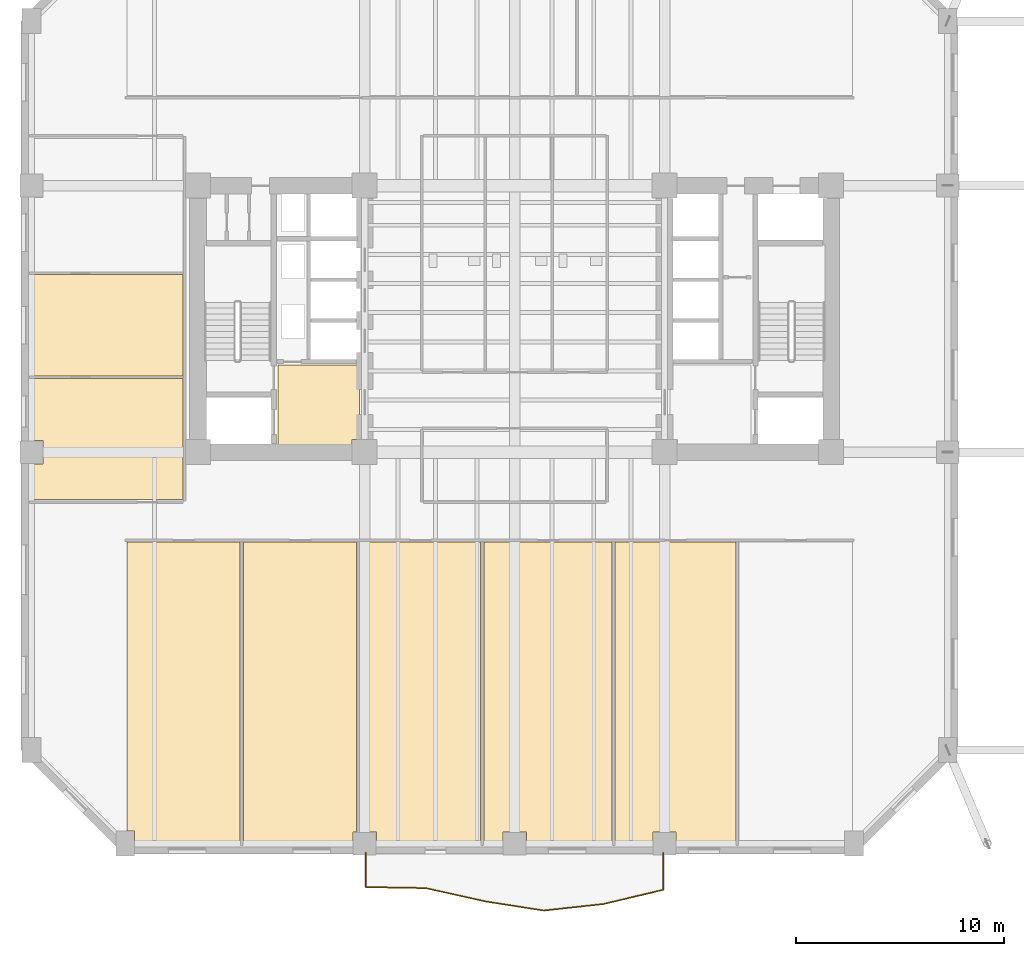
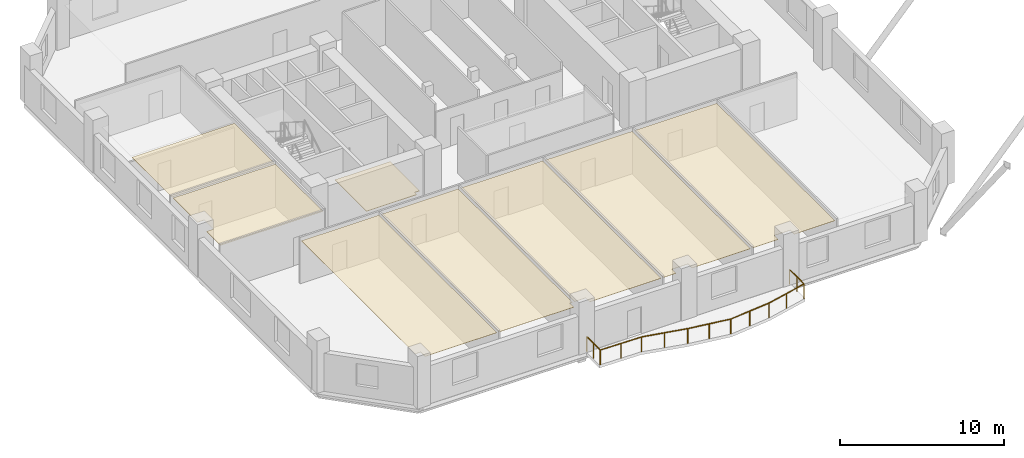
# One storey, part 9 of 13: 8 coverings, 1 railing.
"""IFC4 building model written with IfcOpenShell, lengths in metres."""

from ifc_helpers import new_model, si_unit, direction, frame, origin, origin_2d, place, context, subcontext, project, spatial, polyline, circle, outline, extrude, material, layer, layer_set, type_object, element, save


model = new_model("IFC4")

# Units and contexts
model_context = context("Model", 3, precision=1e-05, world=origin(), true_north=direction((0.0, 1.0)))
body_context = subcontext(model_context, "Body", "Model", "MODEL_VIEW")
ifc_project = project(units=[si_unit("LENGTHUNIT", "METRE"), si_unit("AREAUNIT", "SQUARE_METRE"), si_unit("VOLUMEUNIT", "CUBIC_METRE"), si_unit("PLANEANGLEUNIT", "RADIAN"), si_unit("MASSUNIT", "GRAM", prefix="KILO")], contexts=[model_context])

# Site, building, storey
site_placement = place(None, origin())
site = spatial("IfcSite", under=ifc_project, at=site_placement, CompositionType="ELEMENT")
building_placement = place(site_placement, origin())
building = spatial("IfcBuilding", under=site, at=building_placement, Name="Kranthara Brick Stack", CompositionType="ELEMENT")
storey_placement = place(building_placement, frame((0.0, 0.0, 43.800048828125)))
storey = spatial("IfcBuildingStorey", under=building, at=storey_placement, Name="L10", CompositionType="ELEMENT", Elevation=43.800048828125)

# Coverings
ifc_material_1 = material(Name="Perforated mineral-fibre acoustic ceiling tile", Category="other")
ifc_layer_1 = layer(ifc_material_1, 0.02490234375)
ifc_layer_set_1 = layer_set([ifc_layer_1], Name="Perforated mineral-fibre acoustic ceiling tile")
covering_type_1 = type_object("IfcCoveringType", Name="COV-CEIL-ACOUSTIC", PredefinedType="CEILING", material=ifc_layer_set_1)
covering_1_placement = place(storey_placement, frame((0.0, 0.0, 3.179931640625)))
element("IfcCovering", 1, at=covering_1_placement, inside=storey, type_object=covering_type_1, Name="L10 L10 Executive Cellular Office 1 Acoustic Ceiling", PredefinedType="CEILING", context=body_context, shape_type="SweptSolid", body=[
    extrude(outline(polyline([(9.3798828125, 16.47998046875), (14.820068359375, 16.47998046875), (14.820068359375, 2.070068359375), (9.760009765625, 2.070068359375), (9.760009765625, 2.610107421875), (9.3798828125, 2.610107421875), (9.3798828125, 16.47998046875)])), origin(), (0.0, 0.0, 1.0), 0.02490234375),
])
covering_2_placement = place(storey_placement, frame((0.0, 0.0, 3.179931640625)))
element("IfcCovering", 2, at=covering_2_placement, inside=storey, type_object=covering_type_1, Name="L10 L10 Executive Cellular Office 2 Acoustic Ceiling", PredefinedType="CEILING", context=body_context, shape_type="SweptSolid", body=[
    extrude(outline(polyline([(14.97998046875, 2.070068359375), (14.97998046875, 16.47998046875), (20.419921875, 16.47998046875), (20.419921875, 2.56005859375), (20.239990234375, 2.56005859375), (20.239990234375, 2.070068359375), (14.97998046875, 2.070068359375)])), origin(), (0.0, 0.0, 1.0), 0.02490234375),
])
covering_3_placement = place(storey_placement, frame((0.0, 0.0, 3.179931640625)))
element("IfcCovering", 3, at=covering_3_placement, inside=storey, type_object=covering_type_1, Name="L10 L10 Meeting Room 3 Acoustic Ceiling", PredefinedType="CEILING", context=body_context, shape_type="SweptSolid", body=[
    extrude(outline(polyline([(20.580078125, 16.47998046875), (26.3701171875, 16.47998046875), (26.3701171875, 2.070068359375), (21.360107421875, 2.070068359375), (21.360107421875, 2.56005859375), (20.580078125, 2.56005859375), (20.580078125, 16.47998046875)])), origin(), (0.0, 0.0, 1.0), 0.02490234375),
])
covering_4_placement = place(storey_placement, frame((0.0, 0.0, 3.179931640625)))
element("IfcCovering", 4, at=covering_4_placement, inside=storey, type_object=covering_type_1, Name="L10 L10 Meeting Room 4 Acoustic Ceiling", PredefinedType="CEILING", context=body_context, shape_type="SweptSolid", body=[
    extrude(outline(polyline([(26.530029296875, 2.070068359375), (26.530029296875, 16.47998046875), (32.669921875, 16.47998046875), (32.669921875, 2.070068359375), (28.56005859375, 2.070068359375), (28.56005859375, 2.56005859375), (27.43994140625, 2.56005859375), (27.43994140625, 2.070068359375), (26.530029296875, 2.070068359375)])), origin(), (0.0, 0.0, 1.0), 0.02490234375),
])
covering_5_placement = place(storey_placement, frame((0.0, 0.0, 3.179931640625)))
element("IfcCovering", 5, at=covering_5_placement, inside=storey, type_object=covering_type_1, Name="L10 L10 Meeting Room 5 Acoustic Ceiling", PredefinedType="CEILING", context=body_context, shape_type="SweptSolid", body=[
    extrude(outline(polyline([(32.830078125, 2.070068359375), (32.830078125, 16.47998046875), (38.6201171875, 16.47998046875), (38.6201171875, 2.070068359375), (35.760009765625, 2.070068359375), (35.760009765625, 2.56005859375), (34.639892578125, 2.56005859375), (34.639892578125, 2.070068359375), (32.830078125, 2.070068359375)])), origin(), (0.0, 0.0, 1.0), 0.02490234375),
])
covering_6_placement = place(storey_placement, frame((0.0, 0.0, 3.179931640625)))
element("IfcCovering", 6, at=covering_6_placement, inside=storey, type_object=covering_type_1, Name="L10 L10 West Executive Office 1 Acoustic Ceiling", PredefinedType="CEILING", context=body_context, shape_type="SweptSolid", body=[
    extrude(outline(polyline([(4.8701171875, 24.340087890625), (12.080078125, 24.340087890625), (12.080078125, 18.5400390625), (4.8701171875, 18.5400390625), (4.8701171875, 20.239990234375), (5.360107421875, 20.239990234375), (5.360107421875, 21.360107421875), (4.8701171875, 21.360107421875), (4.8701171875, 24.340087890625)])), origin(), (0.0, 0.0, 1.0), 0.02490234375),
])
covering_7_placement = place(storey_placement, frame((0.0, 0.0, 3.179931640625)))
element("IfcCovering", 7, at=covering_7_placement, inside=storey, type_object=covering_type_1, Name="L10 L10 West Executive Office 2 Acoustic Ceiling", PredefinedType="CEILING", context=body_context, shape_type="SweptSolid", body=[
    extrude(outline(polyline([(12.080078125, 24.4599609375), (12.080078125, 29.340087890625), (4.8701171875, 29.340087890625), (4.8701171875, 24.4599609375), (12.080078125, 24.4599609375)])), origin(), (0.0, 0.0, 1.0), 0.02490234375),
])
ifc_material_2 = material(Name="Honed terrazzo and porcelain floor finish", Category="stone")
ifc_layer_2 = layer(ifc_material_2, 0.030029296875)
ifc_layer_set_2 = layer_set([ifc_layer_2], Name="Honed terrazzo and porcelain floor finish")
covering_type_2 = type_object("IfcCoveringType", Name="COV-FLOR-STONE", PredefinedType="FLOORING", material=ifc_layer_set_2)
covering_8_placement = place(storey_placement, origin())
element("IfcCovering", 8, at=covering_8_placement, inside=storey, type_object=covering_type_2, Name="L10 Lift Lobby Stone Flooring", PredefinedType="FLOORING", context=body_context, shape_type="SweptSolid", body=[
    extrude(outline(polyline([(16.64990234375, 21.14990234375), (16.64990234375, 25.0), (20.550048828125, 25.0), (20.550048828125, 21.409912109375), (20.18994140625, 21.409912109375), (20.18994140625, 21.14990234375), (16.64990234375, 21.14990234375)])), origin(), (0.0, 0.0, 1.0), 0.030029296875),
])

# Railing
ifc_material_3 = material(Name="Bronze anodised aluminium and laminated glass balustrade", Category="aluminium")
railing_type = type_object("IfcRailingType", Name="RL-BALC-1120", PredefinedType="BALUSTRADE", material=ifc_material_3)
railing_placement = place(storey_placement, frame((35.139892578125, 1.56005859375, 0.0)))
element("IfcRailing", 9, at=railing_placement, inside=storey, type_object=railing_type, Name="L10 South Rippling Balcony Balustrade", PredefinedType="BALUSTRADE", context=body_context, shape_type="SweptSolid", body=[
    extrude(circle(Radius=0.02392578125, at=origin_2d()), frame((0.0, 0.0, 1.09619140625), z_axis=(0.0, -1.0, 0.0), x_axis=(1.0, 0.0, 0.0)), (0.0, 0.0, 1.0), 1.773193359375),
    extrude(circle(Radius=0.02392578125, at=origin_2d()), frame((0.0, -1.773193359375, 1.09619140625), z_axis=(-0.972813296182, -0.231590783003, 0.0), x_axis=(0.231590783003, -0.972813296182, 0.0)), (0.0, 0.0, 1.0), 2.959228515625),
    extrude(circle(Radius=0.02392578125, at=origin_2d()), frame((-2.878662109375, -2.45849609375, 1.09619140625), z_axis=(-0.994186493964, -0.107671793982, 0.0), x_axis=(0.107671793982, -0.994186493964, 0.0)), (0.0, 0.0, 1.0), 2.88427734375),
    extrude(circle(Radius=0.02392578125, at=origin_2d()), frame((-5.74609375, -2.76904296875, 1.09619140625), z_axis=(-0.987979346542, 0.154585933404, 0.0), x_axis=(-0.154585933404, -0.987979346542, 0.0)), (0.0, 0.0, 1.0), 2.814453125),
    extrude(circle(Radius=0.02392578125, at=origin_2d()), frame((-8.526611328125, -2.333984375, 1.09619140625), z_axis=(-0.975999372723, 0.217773332719, 0.0), x_axis=(-0.217773332719, -0.975999372723, 0.0)), (0.0, 0.0, 1.0), 2.94384765625),
    extrude(circle(Radius=0.02392578125, at=origin_2d()), frame((-11.39990234375, -1.69287109375, 1.09619140625), z_axis=(-0.999853408864, 0.017121938673, 0.0), x_axis=(-0.017121938673, -0.999853408864, 0.0)), (0.0, 0.0, 1.0), 2.88037109375),
    extrude(circle(Radius=0.02392578125, at=origin_2d()), frame((-14.27978515625, -1.6435546875, 1.09619140625), z_axis=(0.0, 1.0, 0.0), x_axis=(-1.0, 0.0, 0.0)), (0.0, 0.0, 1.0), 1.6435546875),
    extrude(circle(Radius=0.02099609375, at=origin_2d()), origin(), (0.0, 0.0, 1.0), 1.072021484375),
    extrude(circle(Radius=0.02099609375, at=origin_2d()), frame((0.0, -0.88671875, 0.0)), (0.0, 0.0, 1.0), 1.072021484375),
    extrude(circle(Radius=0.02099609375, at=origin_2d()), frame((0.0, -1.773193359375, 0.0)), (0.0, 0.0, 1.0), 1.072021484375),
    extrude(circle(Radius=0.02099609375, at=origin_2d()), frame((-1.439453125, -2.11572265625, 0.0)), (0.0, 0.0, 1.0), 1.072021484375),
    extrude(circle(Radius=0.02099609375, at=origin_2d()), frame((-2.878662109375, -2.45849609375, 0.0)), (0.0, 0.0, 1.0), 1.072021484375),
    extrude(circle(Radius=0.02099609375, at=origin_2d()), frame((-4.3125, -2.61376953125, 0.0)), (0.0, 0.0, 1.0), 1.072021484375),
    extrude(circle(Radius=0.02099609375, at=origin_2d()), frame((-5.74609375, -2.76904296875, 0.0)), (0.0, 0.0, 1.0), 1.072021484375),
    extrude(circle(Radius=0.02099609375, at=origin_2d()), frame((-7.13623046875, -2.551513671875, 0.0)), (0.0, 0.0, 1.0), 1.072021484375),
    extrude(circle(Radius=0.02099609375, at=origin_2d()), frame((-8.526611328125, -2.333984375, 0.0)), (0.0, 0.0, 1.0), 1.072021484375),
    extrude(circle(Radius=0.02099609375, at=origin_2d()), frame((-9.96337890625, -2.013427734375, 0.0)), (0.0, 0.0, 1.0), 1.072021484375),
    extrude(circle(Radius=0.02099609375, at=origin_2d()), frame((-11.39990234375, -1.69287109375, 0.0)), (0.0, 0.0, 1.0), 1.072021484375),
    extrude(circle(Radius=0.02099609375, at=origin_2d()), frame((-12.83984375, -1.668212890625, 0.0)), (0.0, 0.0, 1.0), 1.072021484375),
    extrude(circle(Radius=0.02099609375, at=origin_2d()), frame((-14.27978515625, -1.6435546875, 0.0)), (0.0, 0.0, 1.0), 1.072021484375),
    extrude(circle(Radius=0.02099609375, at=origin_2d()), frame((-14.27978515625, -0.82177734375, 0.0)), (0.0, 0.0, 1.0), 1.072021484375),
    extrude(circle(Radius=0.02099609375, at=origin_2d()), frame((-14.27978515625, 0.0, 0.0)), (0.0, 0.0, 1.0), 1.072021484375),
])

save(model, "model.ifc")
